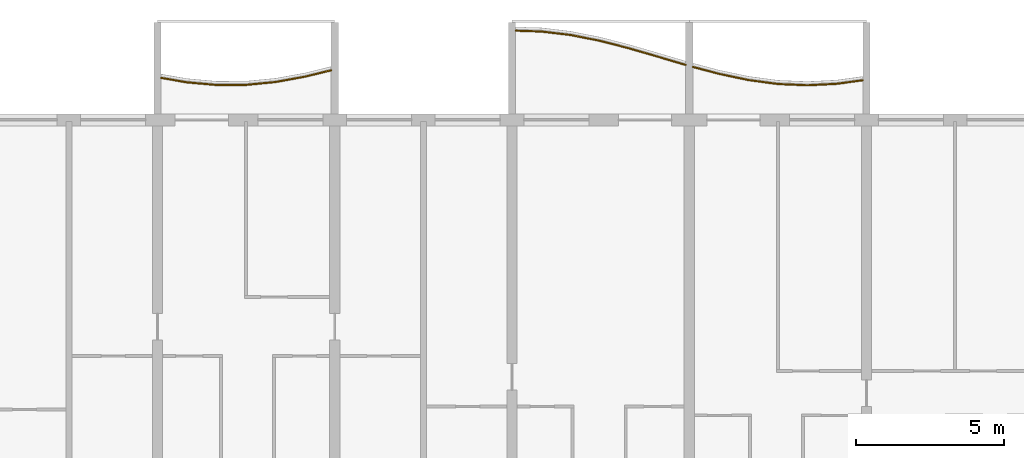
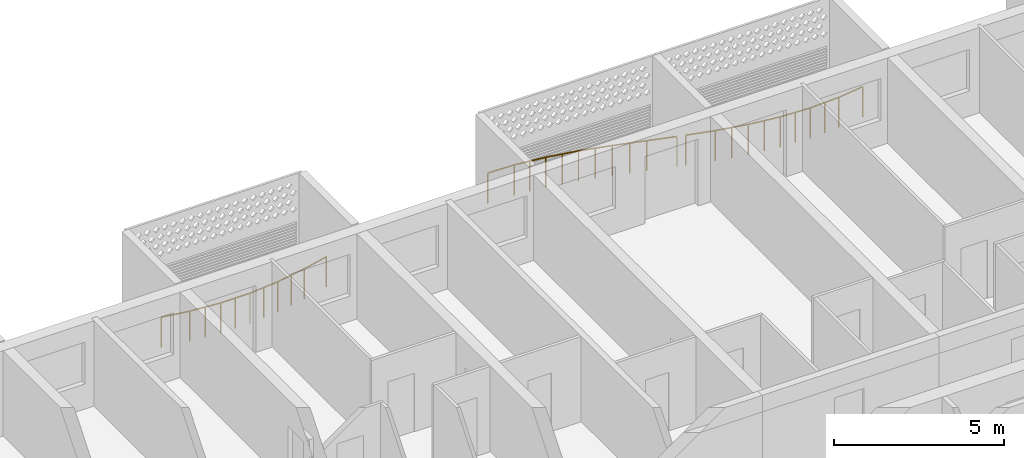
# One storey, part 22 of 30: 3 railings.
"""IFC4 building model written with IfcOpenShell, lengths in metres."""

from ifc_helpers import new_model, si_unit, direction, frame, origin, origin_2d, place, context, subcontext, project, spatial, circle, extrude, material, type_object, element, save


model = new_model("IFC4")

# Units and contexts
model_context = context("Model", 3, precision=1e-05, world=origin(), true_north=direction((0.0, 1.0)))
body_context = subcontext(model_context, "Body", "Model", "MODEL_VIEW")
ifc_project = project(units=[si_unit("LENGTHUNIT", "METRE"), si_unit("AREAUNIT", "SQUARE_METRE"), si_unit("VOLUMEUNIT", "CUBIC_METRE"), si_unit("PLANEANGLEUNIT", "RADIAN"), si_unit("MASSUNIT", "GRAM", prefix="KILO")], contexts=[model_context])

# Site, building, storey
site_placement = place(None, origin())
site = spatial("IfcSite", under=ifc_project, at=site_placement, CompositionType="ELEMENT")
building_placement = place(site_placement, origin())
building = spatial("IfcBuilding", under=site, at=building_placement, Name="Poui Terraces", CompositionType="ELEMENT")
storey_placement = place(building_placement, frame((0.0, 0.0, 99.300048828125)))
storey = spatial("IfcBuildingStorey", under=building, at=storey_placement, Name="L27", CompositionType="ELEMENT", Elevation=99.300048828125)

# Railings
ifc_material = material(Name="Painted steel fretwork", Category="steel")
railing_type = type_object("IfcRailingType", Name="BALCONY GUARD 1100", PredefinedType="GUARDRAIL", material=ifc_material)
railing_1_placement = place(storey_placement, frame((36.125, 45.019287109375, 0.0)))
element("IfcRailing", 1, at=railing_1_placement, inside=storey, type_object=railing_type, Name="BALCONY GUARD", PredefinedType="GUARDRAIL", context=body_context, shape_type="SweptSolid", body=[
    extrude(circle(Radius=0.02392578125, at=origin_2d()), frame((0.0, 0.0, 1.076171875), z_axis=(0.985823105924, -0.167787972828, 0.0), x_axis=(0.167787972828, 0.985823105924, 0.0)), (0.0, 0.0, 1.0), 0.8876953125),
    extrude(circle(Radius=0.02392578125, at=origin_2d()), frame((0.875, -0.14892578125, 1.076171875), z_axis=(0.995944862323, -0.089965722427, 0.0), x_axis=(0.089965722427, 0.995944862323, 0.0)), (0.0, 0.0, 1.0), 1.004150390625),
    extrude(circle(Radius=0.02392578125, at=origin_2d()), frame((1.875, -0.2392578125, 1.076171875), z_axis=(0.99999138724, 0.004150354879, 0.0), x_axis=(-0.004150354879, 0.99999138724, 0.0)), (0.0, 0.0, 1.0), 1.0),
    extrude(circle(Radius=0.02392578125, at=origin_2d()), frame((2.875, -0.235107421875, 1.076171875), z_axis=(0.995265465661, 0.097193893131, 0.0), x_axis=(-0.097193893131, 0.995265465661, 0.0)), (0.0, 0.0, 1.0), 1.004638671875),
    extrude(circle(Radius=0.02392578125, at=origin_2d()), frame((3.875, -0.137451171875, 1.076171875), z_axis=(0.983942855126, 0.178483774746, 0.0), x_axis=(-0.178483774746, 0.983942855126, 0.0)), (0.0, 0.0, 1.0), 1.016357421875),
    extrude(circle(Radius=0.02392578125, at=origin_2d()), frame((4.875, 0.0439453125, 1.076171875), z_axis=(0.971654139629, 0.236406922365, 0.0), x_axis=(-0.236406922365, 0.971654139629, 0.0)), (0.0, 0.0, 1.0), 0.900634765625),
    extrude(circle(Radius=0.02099609375, at=origin_2d()), origin(), (0.0, 0.0, 1.0), 1.052001953125),
    extrude(circle(Radius=0.02099609375, at=origin_2d()), frame((0.875, -0.14892578125, 0.0)), (0.0, 0.0, 1.0), 1.052001953125),
    extrude(circle(Radius=0.02099609375, at=origin_2d()), frame((1.375, -0.194091796875, 0.0)), (0.0, 0.0, 1.0), 1.052001953125),
    extrude(circle(Radius=0.02099609375, at=origin_2d()), frame((1.875, -0.2392578125, 0.0)), (0.0, 0.0, 1.0), 1.052001953125),
    extrude(circle(Radius=0.02099609375, at=origin_2d()), frame((2.375, -0.2373046875, 0.0)), (0.0, 0.0, 1.0), 1.052001953125),
    extrude(circle(Radius=0.02099609375, at=origin_2d()), frame((2.875, -0.235107421875, 0.0)), (0.0, 0.0, 1.0), 1.052001953125),
    extrude(circle(Radius=0.02099609375, at=origin_2d()), frame((3.375, -0.186279296875, 0.0)), (0.0, 0.0, 1.0), 1.052001953125),
    extrude(circle(Radius=0.02099609375, at=origin_2d()), frame((3.875, -0.137451171875, 0.0)), (0.0, 0.0, 1.0), 1.052001953125),
    extrude(circle(Radius=0.02099609375, at=origin_2d()), frame((4.375, -0.046875, 0.0)), (0.0, 0.0, 1.0), 1.052001953125),
    extrude(circle(Radius=0.02099609375, at=origin_2d()), frame((4.875, 0.0439453125, 0.0)), (0.0, 0.0, 1.0), 1.052001953125),
    extrude(circle(Radius=0.02099609375, at=origin_2d()), frame((5.75, 0.2568359375, 0.0)), (0.0, 0.0, 1.0), 1.052001953125),
])
railing_2_placement = place(storey_placement, frame((48.125, 46.61962890625, 0.0)))
element("IfcRailing", 2, at=railing_2_placement, inside=storey, type_object=railing_type, Name="BALCONY GUARD", PredefinedType="GUARDRAIL", context=body_context, shape_type="SweptSolid", body=[
    extrude(circle(Radius=0.02392578125, at=origin_2d()), frame((0.0, 0.0, 1.076171875), z_axis=(0.999430578744, -0.033741936392, 0.0), x_axis=(0.033741936392, 0.999430578744, 0.0)), (0.0, 0.0, 1.0), 0.87548828125),
    extrude(circle(Radius=0.02392578125, at=origin_2d()), frame((0.875, -0.029541015625, 1.076171875), z_axis=(0.992891742073, -0.119020958339, 0.0), x_axis=(0.119020958339, 0.992891742073, 0.0)), (0.0, 0.0, 1.0), 1.007080078125),
    extrude(circle(Radius=0.02392578125, at=origin_2d()), frame((1.875, -0.1494140625, 1.076171875), z_axis=(0.980589882373, -0.196070096109, 0.0), x_axis=(0.196070096109, 0.980589882373, 0.0)), (0.0, 0.0, 1.0), 1.019775390625),
    extrude(circle(Radius=0.02392578125, at=origin_2d()), frame((2.875, -0.349365234375, 1.076171875), z_axis=(0.968107386431, -0.250535602934, 0.0), x_axis=(0.250535602934, 0.968107386431, 0.0)), (0.0, 0.0, 1.0), 1.032958984375),
    extrude(circle(Radius=0.02392578125, at=origin_2d()), frame((3.875, -0.608154296875, 1.076171875), z_axis=(0.95997899776, -0.280071997637, 0.0), x_axis=(0.280071997637, 0.95997899776, 0.0)), (0.0, 0.0, 1.0), 1.041748046875),
    extrude(circle(Radius=0.02392578125, at=origin_2d()), frame((4.875, -0.89990234375, 1.076171875), z_axis=(0.959156425707, -0.282876211488, 0.0), x_axis=(0.282876211488, 0.959156425707, 0.0)), (0.0, 0.0, 1.0), 0.912353515625),
    extrude(circle(Radius=0.02099609375, at=origin_2d()), origin(), (0.0, 0.0, 1.0), 1.052001953125),
    extrude(circle(Radius=0.02099609375, at=origin_2d()), frame((0.875, -0.029541015625, 0.0)), (0.0, 0.0, 1.0), 1.052001953125),
    extrude(circle(Radius=0.02099609375, at=origin_2d()), frame((1.375, -0.08935546875, 0.0)), (0.0, 0.0, 1.0), 1.052001953125),
    extrude(circle(Radius=0.02099609375, at=origin_2d()), frame((1.875, -0.1494140625, 0.0)), (0.0, 0.0, 1.0), 1.052001953125),
    extrude(circle(Radius=0.02099609375, at=origin_2d()), frame((2.375, -0.24951171875, 0.0)), (0.0, 0.0, 1.0), 1.052001953125),
    extrude(circle(Radius=0.02099609375, at=origin_2d()), frame((2.875, -0.349365234375, 0.0)), (0.0, 0.0, 1.0), 1.052001953125),
    extrude(circle(Radius=0.02099609375, at=origin_2d()), frame((3.375, -0.478759765625, 0.0)), (0.0, 0.0, 1.0), 1.052001953125),
    extrude(circle(Radius=0.02099609375, at=origin_2d()), frame((3.875, -0.608154296875, 0.0)), (0.0, 0.0, 1.0), 1.052001953125),
    extrude(circle(Radius=0.02099609375, at=origin_2d()), frame((4.375, -0.75390625, 0.0)), (0.0, 0.0, 1.0), 1.052001953125),
    extrude(circle(Radius=0.02099609375, at=origin_2d()), frame((4.875, -0.89990234375, 0.0)), (0.0, 0.0, 1.0), 1.052001953125),
    extrude(circle(Radius=0.02099609375, at=origin_2d()), frame((5.75, -1.157958984375, 0.0)), (0.0, 0.0, 1.0), 1.052001953125),
])
railing_3_placement = place(storey_placement, frame((54.125, 45.390380859375, 0.0)))
element("IfcRailing", 3, at=railing_3_placement, inside=storey, type_object=railing_type, Name="BALCONY GUARD", PredefinedType="GUARDRAIL", context=body_context, shape_type="SweptSolid", body=[
    extrude(circle(Radius=0.02392578125, at=origin_2d()), frame((0.0, 0.0, 1.076171875), z_axis=(0.966885566352, -0.255210308529, 0.0), x_axis=(0.255210308529, 0.966885566352, 0.0)), (0.0, 0.0, 1.0), 0.905029296875),
    extrude(circle(Radius=0.02392578125, at=origin_2d()), frame((0.875, -0.23095703125, 1.076171875), z_axis=(0.978372019246, -0.206853068522, 0.0), x_axis=(0.206853068522, 0.978372019246, 0.0)), (0.0, 0.0, 1.0), 1.022216796875),
    extrude(circle(Radius=0.02392578125, at=origin_2d()), frame((1.875, -0.4423828125, 1.076171875), z_axis=(0.991104904979, -0.133082934018, 0.0), x_axis=(0.133082934018, 0.991104904979, 0.0)), (0.0, 0.0, 1.0), 1.009033203125),
    extrude(circle(Radius=0.02392578125, at=origin_2d()), frame((2.875, -0.57666015625, 1.076171875), z_axis=(0.999046469355, -0.043659501468, 0.0), x_axis=(0.043659501468, 0.999046469355, 0.0)), (0.0, 0.0, 1.0), 1.0009765625),
    extrude(circle(Radius=0.02392578125, at=origin_2d()), frame((3.875, -0.620361328125, 1.076171875), z_axis=(0.998675805692, 0.051445457764, 0.0), x_axis=(-0.051445457764, 0.998675805692, 0.0)), (0.0, 0.0, 1.0), 1.001220703125),
    extrude(circle(Radius=0.02392578125, at=origin_2d()), frame((4.875, -0.56884765625, 1.076171875), z_axis=(0.990820071533, 0.135187225162, 0.0), x_axis=(-0.135187225162, 0.990820071533, 0.0)), (0.0, 0.0, 1.0), 0.883056640625),
    extrude(circle(Radius=0.02099609375, at=origin_2d()), origin(), (0.0, 0.0, 1.0), 1.052001953125),
    extrude(circle(Radius=0.02099609375, at=origin_2d()), frame((0.875, -0.23095703125, 0.0)), (0.0, 0.0, 1.0), 1.052001953125),
    extrude(circle(Radius=0.02099609375, at=origin_2d()), frame((1.375, -0.336669921875, 0.0)), (0.0, 0.0, 1.0), 1.052001953125),
    extrude(circle(Radius=0.02099609375, at=origin_2d()), frame((1.875, -0.4423828125, 0.0)), (0.0, 0.0, 1.0), 1.052001953125),
    extrude(circle(Radius=0.02099609375, at=origin_2d()), frame((2.375, -0.509521484375, 0.0)), (0.0, 0.0, 1.0), 1.052001953125),
    extrude(circle(Radius=0.02099609375, at=origin_2d()), frame((2.875, -0.57666015625, 0.0)), (0.0, 0.0, 1.0), 1.052001953125),
    extrude(circle(Radius=0.02099609375, at=origin_2d()), frame((3.375, -0.5986328125, 0.0)), (0.0, 0.0, 1.0), 1.052001953125),
    extrude(circle(Radius=0.02099609375, at=origin_2d()), frame((3.875, -0.620361328125, 0.0)), (0.0, 0.0, 1.0), 1.052001953125),
    extrude(circle(Radius=0.02099609375, at=origin_2d()), frame((4.375, -0.5947265625, 0.0)), (0.0, 0.0, 1.0), 1.052001953125),
    extrude(circle(Radius=0.02099609375, at=origin_2d()), frame((4.875, -0.56884765625, 0.0)), (0.0, 0.0, 1.0), 1.052001953125),
    extrude(circle(Radius=0.02099609375, at=origin_2d()), frame((5.75, -0.449462890625, 0.0)), (0.0, 0.0, 1.0), 1.052001953125),
])

save(model, "model.ifc")
